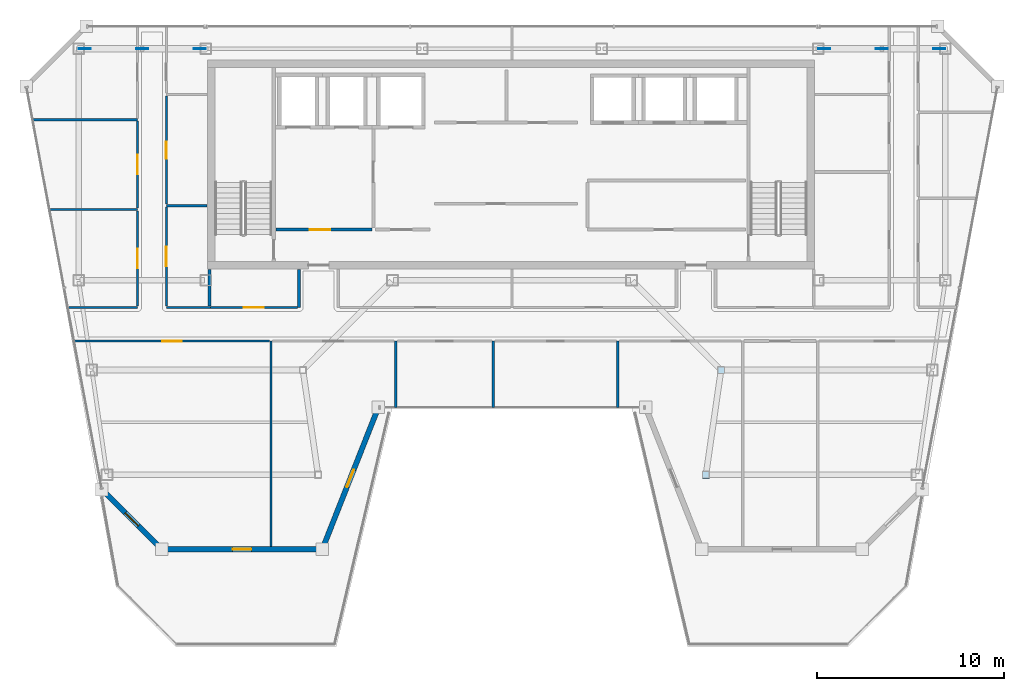
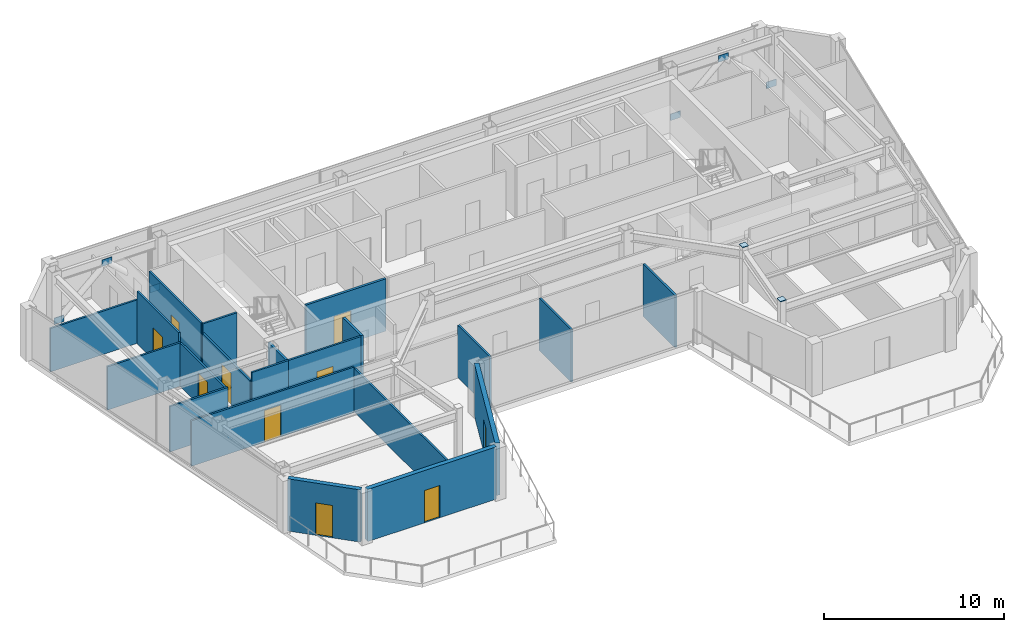
# One storey, part 18 of 25: 21 walls, 10 doors, 8 plates, 10 openings.
"""IFC4 building model written with IfcOpenShell, lengths in metres."""

from ifc_helpers import new_model, si_unit, direction, frame, frame_2d, origin, origin_2d, place, context, subcontext, project, spatial, rectangle, extrude, material, layer, layer_set, type_object, element, fill, save


model = new_model("IFC4")

# Units and contexts
model_context = context("Model", 3, precision=1e-05, world=origin(), true_north=direction((0.0, 1.0)))
body_context = subcontext(model_context, "Body", "Model", "MODEL_VIEW")
ifc_project = project(units=[si_unit("LENGTHUNIT", "METRE"), si_unit("AREAUNIT", "SQUARE_METRE"), si_unit("VOLUMEUNIT", "CUBIC_METRE"), si_unit("PLANEANGLEUNIT", "RADIAN"), si_unit("MASSUNIT", "GRAM", prefix="KILO")], contexts=[model_context])

# Site, building, storey
site_placement = place(None, origin())
site = spatial("IfcSite", under=ifc_project, at=site_placement, CompositionType="ELEMENT")
building_placement = place(site_placement, origin())
building = spatial("IfcBuilding", under=site, at=building_placement, Name="Saevonmaru Cultural Tower", CompositionType="ELEMENT")
storey_placement = place(building_placement, frame((0.0, 0.0, 276.199951171875)))
storey = spatial("IfcBuildingStorey", under=building, at=storey_placement, Name="L65", CompositionType="ELEMENT", Elevation=276.199951171875)

# Plates
ifc_material_1 = material(Name="Steel HSA600 (600 MPa)", Category="steel")
ifc_layer_1 = layer(ifc_material_1, 0.0400390625, Name="Steel HSA600 (600 MPa)")
ifc_layer_set_1 = layer_set([ifc_layer_1], Name="Steel HSA600 (600 MPa)")
plate_type_1 = type_object("IfcPlateType", Name="PL-CAP-350", PredefinedType="USERDEFINED", material=ifc_layer_set_1)
for number, where, z_axis, x_axis, name in (
    (1, (40.383056640625, 32.0, 3.794921875), (0.0, 0.0, 1.0), (1.0, 0.0, 0.0), "Column head cap plate TC-EI-Y320 L65"),
    (2, (41.19189453125, 37.60009765625, 3.794921875), (0.0, 0.0, 1.0), (1.0, 0.0, 0.0), "Column head cap plate TC-EI-Y376 L65"),
):
    element("IfcPlate", number, at=place(storey_placement, frame(where, z_axis=z_axis, x_axis=x_axis)), inside=storey, type_object=plate_type_1, Name=name, ObjectType="CAP_PLATE", PredefinedType="USERDEFINED", context=body_context, shape_type="SweptSolid", body=[
        extrude(rectangle(XDim=0.389892578125, YDim=0.389892578125, at=origin_2d()), origin(), (0.0, 0.0, 1.0), 0.0400390625),
    ])
ifc_layer_2 = layer(ifc_material_1, 0.0400390625, Name="Steel HSA600 (600 MPa)")
ifc_layer_set_2 = layer_set([ifc_layer_2], Name="Steel HSA600 (600 MPa)")
plate_type_2 = type_object("IfcPlateType", Name="PL-GUSSET-EXT", PredefinedType="USERDEFINED", material=ifc_layer_set_2)
for number, where, z_axis, x_axis, name in (
    (3, (10.199951171875, 54.800048828125, 2.900146484375), (0.0, 0.0, 1.0), (1.0, 0.0, 0.0), "L65 Perimeter Tube Gusset Plate"),
    (4, (7.1201171875, 54.800048828125, 0.02001953125), (0.0, 0.0, 1.0), (1.0, 0.0, 0.0), "L65 Perimeter Tube Gusset Plate"),
    (5, (13.280029296875, 54.800048828125, 0.02001953125), (0.0, 0.0, 1.0), (1.0, 0.0, 0.0), "L65 Perimeter Tube Gusset Plate"),
    (6, (49.800048828125, 54.800048828125, 2.900146484375), (0.0, 0.0, 1.0), (1.0, 0.0, 0.0), "L65 Perimeter Tube Gusset Plate"),
    (7, (46.719970703125, 54.800048828125, 0.02001953125), (0.0, 0.0, 1.0), (1.0, 0.0, 0.0), "L65 Perimeter Tube Gusset Plate"),
    (8, (52.8798828125, 54.800048828125, 0.02001953125), (0.0, 0.0, 1.0), (1.0, 0.0, 0.0), "L65 Perimeter Tube Gusset Plate"),
):
    element("IfcPlate", number, at=place(storey_placement, frame(where, z_axis=z_axis, x_axis=x_axis)), inside=storey, type_object=plate_type_2, Name=name, ObjectType="GUSSET_PLATE", PredefinedType="USERDEFINED", context=body_context, shape_type="SweptSolid", body=[
        extrude(rectangle(XDim=0.639892578125, YDim=0.0400390625, at=origin_2d()), origin(), (0.0, 0.0, 1.0), 0.43994140625),
    ])

# Wall, opening, door
ifc_material_2 = material(Name="Gypsum Fireboard Partition", Category="gypsum")
ifc_layer_3 = layer(ifc_material_2, 0.14990234375, Name="Gypsum Fireboard Partition")
ifc_layer_set_3 = layer_set([ifc_layer_3], Name="Gypsum Fireboard Partition")
wall_type_1 = type_object("IfcWallType", Name="WL-CORE-PART-150", PredefinedType="PARTITIONING", material=ifc_layer_set_3)
wall_1_placement = place(storey_placement, frame((17.360107421875, 45.1201171875, 0.0), z_axis=(0.0, 0.0, 1.0), x_axis=(1.0, 0.0, 0.0)))
wall_1 = element("IfcWall", 9, at=wall_1_placement, inside=storey, type_object=wall_type_1, Name="L65 Firefighting Lift Lobby South Wall", PredefinedType="PARTITIONING", context=body_context, shape_type="SweptSolid", body=[
    extrude(rectangle(XDim=5.139892578125, YDim=0.14990234375, at=frame_2d((2.56982421875, 0.0))), origin(), (0.0, 0.0, 1.0), 3.550048828125),
])
opening_1_placement = place(wall_1_placement, frame((1.800048828125, 0.0, 0.0)))
opening_1 = element("IfcOpeningElement", 10, at=opening_1_placement, cuts=wall_1, Name="Opening FD-2", PredefinedType="OPENING", context=body_context, shape_type="SweptSolid", body=[
    extrude(rectangle(XDim=1.10009765625, YDim=2.14990234375, at=frame_2d((0.550048828125, 1.074951171875))), frame((0.0, 0.0849609375, 0.0), z_axis=(0.0, -1.0, 0.0), x_axis=(1.0, 0.0, 0.0)), (0.0, 0.0, 1.0), 0.169921875),
])
ifc_material_3 = material(Name="Satin Bronze Anodised Aluminium", Category="aluminium")
door_type_1 = type_object("IfcDoorType", Name="DR-FD60-1100", OperationType="SINGLE_SWING_LEFT", PredefinedType="DOOR", material=ifc_material_3)
door_1_placement = place(opening_1_placement, origin())
door_1 = element("IfcDoor", 11, at=door_1_placement, inside=storey, type_object=door_type_1, Name="L65 Firefighting Lift Lobby South Door", OperationType="SINGLE_SWING_LEFT", OverallHeight=2.14990234375, OverallWidth=1.10009765625, PredefinedType="DOOR", context=body_context, shape_type="SweptSolid", body=[
    extrude(rectangle(XDim=1.10009765625, YDim=2.14990234375, at=frame_2d((0.550048828125, 1.074951171875))), frame((0.0, 0.02490234375, 0.0), z_axis=(0.0, -1.0, 0.0), x_axis=(1.0, 0.0, 0.0)), (0.0, 0.0, 1.0), 0.050048828125),
])
fill(opening_1, door_1)

ifc_material_4 = material(Name="Granite-Clad Precast Concrete C40/50", Category="masonry")
ifc_layer_4 = layer(ifc_material_4, 0.280029296875, Name="Granite-Clad Precast Concrete C40/50")
ifc_layer_set_4 = layer_set([ifc_layer_4], Name="Granite-Clad Precast Concrete C40/50")
wall_type_2 = type_object("IfcWallType", Name="WL-EXT-SPANDREL-280", PredefinedType="STANDARD", material=ifc_layer_set_4)
wall_2_placement = place(storey_placement, frame((8.157470703125, 31.0869140625, 0.0), z_axis=(0.0, 0.0, 1.0), x_axis=(0.707106781187, -0.707106781187, 0.0)))
wall_2 = element("IfcWall", 12, at=wall_2_placement, inside=storey, type_object=wall_type_2, Name="L65 Setback Terrace Portal Wall E1", PredefinedType="STANDARD", context=body_context, shape_type="SweptSolid", body=[
    extrude(rectangle(XDim=4.205810546875, YDim=0.280029296875, at=frame_2d((2.10302734375, 0.0))), origin(), (0.0, 0.0, 1.0), 3.550048828125),
])
opening_2_placement = place(wall_2_placement, frame((1.60302734375, 0.0, 0.0)))
opening_2 = element("IfcOpeningElement", 13, at=opening_2_placement, cuts=wall_2, Name="Opening TD-2", PredefinedType="OPENING", context=body_context, shape_type="SweptSolid", body=[
    extrude(rectangle(XDim=1.0, YDim=2.199951171875, at=frame_2d((0.5, 1.10009765625))), frame((0.0, 0.14990234375, 0.0), z_axis=(0.0, -1.0, 0.0), x_axis=(1.0, 0.0, 0.0)), (0.0, 0.0, 1.0), 0.300048828125),
])
door_type_2 = type_object("IfcDoorType", Name="DR-TERR-1000", OperationType="SINGLE_SWING_RIGHT", PredefinedType="DOOR", material=ifc_material_3)
door_2_placement = place(opening_2_placement, origin())
door_2 = element("IfcDoor", 14, at=door_2_placement, inside=storey, type_object=door_type_2, Name="L65 Sawtooth Roof Terrace Door E1", OperationType="SINGLE_SWING_RIGHT", OverallHeight=2.199951171875, OverallWidth=1.0, PredefinedType="DOOR", context=body_context, shape_type="SweptSolid", body=[
    extrude(rectangle(XDim=1.0, YDim=2.199951171875, at=frame_2d((0.5, 1.10009765625))), frame((0.0, 0.02490234375, 0.0), z_axis=(0.0, -1.0, 0.0), x_axis=(1.0, 0.0, 0.0)), (0.0, 0.0, 1.0), 0.050048828125),
])
fill(opening_2, door_2)

wall_3_placement = place(storey_placement, frame((11.404296875, 28.0, 0.0), z_axis=(0.0, 0.0, 1.0), x_axis=(1.0, 0.0, 0.0)))
wall_3 = element("IfcWall", 15, at=wall_3_placement, inside=storey, type_object=wall_type_2, Name="L65 Setback Terrace Portal Wall E2", PredefinedType="STANDARD", context=body_context, shape_type="SweptSolid", body=[
    extrude(rectangle(XDim=8.280029296875, YDim=0.280029296875, at=frame_2d((4.14013671875, 0.0))), origin(), (0.0, 0.0, 1.0), 3.550048828125),
])
opening_3_placement = place(wall_3_placement, frame((3.639892578125, 0.0, 0.0)))
opening_3 = element("IfcOpeningElement", 16, at=opening_3_placement, cuts=wall_3, Name="Opening TD-2", PredefinedType="OPENING", context=body_context, shape_type="SweptSolid", body=[
    extrude(rectangle(XDim=1.0, YDim=2.199951171875, at=frame_2d((0.5, 1.10009765625))), frame((0.0, 0.14990234375, 0.0), z_axis=(0.0, -1.0, 0.0), x_axis=(1.0, 0.0, 0.0)), (0.0, 0.0, 1.0), 0.300048828125),
])
door_3_placement = place(opening_3_placement, origin())
door_3 = element("IfcDoor", 17, at=door_3_placement, inside=storey, type_object=door_type_2, Name="L65 Sawtooth Roof Terrace Door E2", OperationType="SINGLE_SWING_LEFT", OverallHeight=2.199951171875, OverallWidth=1.0, PredefinedType="DOOR", context=body_context, shape_type="SweptSolid", body=[
    extrude(rectangle(XDim=1.0, YDim=2.199951171875, at=frame_2d((0.5, 1.10009765625))), frame((0.0, 0.02490234375, 0.0), z_axis=(0.0, -1.0, 0.0), x_axis=(1.0, 0.0, 0.0)), (0.0, 0.0, 1.0), 0.050048828125),
])
fill(opening_3, door_3)

wall_4_placement = place(storey_placement, frame((19.903076171875, 28.148681640625, 0.0), z_axis=(0.0, 0.0, 1.0), x_axis=(0.367167242766, 0.930154941846, 0.0)))
wall_4 = element("IfcWall", 18, at=wall_4_placement, inside=storey, type_object=wall_type_2, Name="L65 Setback Terrace Portal Wall E3", PredefinedType="STANDARD", context=body_context, shape_type="SweptSolid", body=[
    extrude(rectangle(XDim=7.850830078125, YDim=0.280029296875, at=frame_2d((3.92529296875, 0.0))), origin(), (0.0, 0.0, 1.0), 3.550048828125),
])
opening_4_placement = place(wall_4_placement, frame((3.425048828125, 0.0, 0.0)))
opening_4 = element("IfcOpeningElement", 19, at=opening_4_placement, cuts=wall_4, Name="Opening TD-2", PredefinedType="OPENING", context=body_context, shape_type="SweptSolid", body=[
    extrude(rectangle(XDim=1.0, YDim=2.199951171875, at=frame_2d((0.5, 1.10009765625))), frame((0.0, 0.14990234375, 0.0), z_axis=(0.0, -1.0, 0.0), x_axis=(1.0, 0.0, 0.0)), (0.0, 0.0, 1.0), 0.300048828125),
])
door_4_placement = place(opening_4_placement, origin())
door_4 = element("IfcDoor", 20, at=door_4_placement, inside=storey, type_object=door_type_2, Name="L65 Sawtooth Roof Terrace Door E3", OperationType="SINGLE_SWING_RIGHT", OverallHeight=2.199951171875, OverallWidth=1.0, PredefinedType="DOOR", context=body_context, shape_type="SweptSolid", body=[
    extrude(rectangle(XDim=1.0, YDim=2.199951171875, at=frame_2d((0.5, 1.10009765625))), frame((0.0, 0.02490234375, 0.0), z_axis=(0.0, -1.0, 0.0), x_axis=(1.0, 0.0, 0.0)), (0.0, 0.0, 1.0), 0.050048828125),
])
fill(opening_4, door_4)

# Walls
ifc_layer_5 = layer(ifc_material_2, 0.14990234375, Name="Gypsum Fireboard Partition")
ifc_layer_set_5 = layer_set([ifc_layer_5], Name="Gypsum Fireboard Partition")
wall_type_3 = type_object("IfcWallType", Name="WL-PART-FIRE-150", PredefinedType="PARTITIONING", material=ifc_layer_set_5)
wall_5_placement = place(storey_placement, frame((13.800048828125, 41.030029296875, 0.0), z_axis=(0.0, 0.0, 1.0), x_axis=(0.0, 1.0, 0.0)))
element("IfcWall", 21, at=wall_5_placement, inside=storey, type_object=wall_type_3, Name="L65 Core Portal Side Wall W0", PredefinedType="PARTITIONING", context=body_context, shape_type="SweptSolid", body=[
    extrude(rectangle(XDim=1.949951171875, YDim=0.14990234375, at=frame_2d((0.97509765625, 0.0))), origin(), (0.0, 0.0, 1.0), 3.550048828125),
])
wall_6_placement = place(storey_placement, frame((18.60009765625, 40.949951171875, 0.0), z_axis=(0.0, 0.0, 1.0), x_axis=(0.0, 1.0, 0.0)))
element("IfcWall", 22, at=wall_6_placement, inside=storey, type_object=wall_type_3, Name="L65 Core Portal Side Wall W1", PredefinedType="PARTITIONING", context=body_context, shape_type="SweptSolid", body=[
    extrude(rectangle(XDim=2.030029296875, YDim=0.14990234375, at=frame_2d((1.01513671875, 0.0))), origin(), (0.0, 0.0, 1.0), 3.550048828125),
])
ifc_layer_6 = layer(ifc_material_2, 0.1201171875, Name="Gypsum Fireboard Partition")
ifc_layer_set_6 = layer_set([ifc_layer_6], Name="Gypsum Fireboard Partition")
wall_type_4 = type_object("IfcWallType", Name="WL-PART-GYP-120", PredefinedType="PARTITIONING", material=ifc_layer_set_6)
wall_7_placement = place(storey_placement, frame((6.223876953125, 40.949951171875, 0.0), z_axis=(0.0, 0.0, 1.0), x_axis=(1.0, 0.0, 0.0)))
element("IfcWall", 23, at=wall_7_placement, inside=storey, type_object=wall_type_4, Name="L65 NW Wing South Wall", PredefinedType="PARTITIONING", context=body_context, shape_type="SweptSolid", body=[
    extrude(rectangle(XDim=3.72607421875, YDim=0.1201171875, at=frame_2d((1.863037109375, 0.0))), origin(), (0.0, 0.0, 1.0), 3.0849609375),
])
wall_8_placement = place(storey_placement, frame((11.5, 40.949951171875, 0.0), z_axis=(0.0, 0.0, 1.0), x_axis=(1.0, 0.0, 0.0)))
element("IfcWall", 24, at=wall_8_placement, inside=storey, type_object=wall_type_4, Name="L65 NW Inner South Wall", PredefinedType="PARTITIONING", context=body_context, shape_type="SweptSolid", body=[
    extrude(rectangle(XDim=2.35009765625, YDim=0.1201171875, at=frame_2d((1.175048828125, 0.0))), origin(), (0.0, 0.0, 1.0), 3.550048828125),
])
wall_9_placement = place(storey_placement, frame((5.240966796875, 46.199951171875, 0.0), z_axis=(0.0, 0.0, 1.0), x_axis=(1.0, 0.0, 0.0)))
element("IfcWall", 25, at=wall_9_placement, inside=storey, type_object=wall_type_4, Name="L65 NW Studio Divider 1", PredefinedType="PARTITIONING", context=body_context, shape_type="SweptSolid", body=[
    extrude(rectangle(XDim=4.708984375, YDim=0.1201171875, at=frame_2d((2.3544921875, 0.0))), origin(), (0.0, 0.0, 1.0), 2.947021484375),
])
wall_10_placement = place(storey_placement, frame((4.342041015625, 51.0, 0.0), z_axis=(0.0, 0.0, 1.0), x_axis=(1.0, 0.0, 0.0)))
element("IfcWall", 26, at=wall_10_placement, inside=storey, type_object=wall_type_4, Name="L65 NW Studio Divider 2", PredefinedType="PARTITIONING", context=body_context, shape_type="SweptSolid", body=[
    extrude(rectangle(XDim=5.60791015625, YDim=0.1201171875, at=frame_2d((2.803955078125, 0.0))), origin(), (0.0, 0.0, 1.0), 2.947021484375),
])

# Wall, opening, door
wall_11_placement = place(storey_placement, frame((9.949951171875, 41.030029296875, 0.0), z_axis=(0.0, 0.0, 1.0), x_axis=(0.0, 1.0, 0.0)))
wall_11 = element("IfcWall", 27, at=wall_11_placement, inside=storey, type_object=wall_type_4, Name="L65 Rare Folio Reading Room Corridor Wall", PredefinedType="PARTITIONING", context=body_context, shape_type="SweptSolid", body=[
    extrude(rectangle(XDim=5.090087890625, YDim=0.1201171875, at=frame_2d((2.544921875, 0.0))), origin(), (0.0, 0.0, 1.0), 2.947021484375),
])
opening_5_placement = place(wall_11_placement, frame((2.02001953125, 0.0, 0.0)))
opening_5 = element("IfcOpeningElement", 28, at=opening_5_placement, cuts=wall_11, Name="Opening ID-1", PredefinedType="OPENING", context=body_context, shape_type="SweptSolid", body=[
    extrude(rectangle(XDim=1.050048828125, YDim=2.14990234375, at=frame_2d((0.52490234375, 1.074951171875))), frame((0.0, 0.070068359375, 0.0), z_axis=(0.0, -1.0, 0.0), x_axis=(1.0, 0.0, 0.0)), (0.0, 0.0, 1.0), 0.14013671875),
])
door_type_3 = type_object("IfcDoorType", Name="DR-INT-1050", OperationType="SINGLE_SWING_LEFT", PredefinedType="DOOR", material=ifc_material_3)
door_5_placement = place(opening_5_placement, origin())
door_5 = element("IfcDoor", 29, at=door_5_placement, inside=storey, type_object=door_type_3, Name="L65 Rare Folio Reading Room Door", OperationType="SINGLE_SWING_RIGHT", OverallHeight=2.14990234375, OverallWidth=1.050048828125, PredefinedType="DOOR", context=body_context, shape_type="SweptSolid", body=[
    extrude(rectangle(XDim=1.050048828125, YDim=2.14990234375, at=frame_2d((0.52490234375, 1.074951171875))), frame((0.0, 0.02490234375, 0.0), z_axis=(0.0, -1.0, 0.0), x_axis=(1.0, 0.0, 0.0)), (0.0, 0.0, 1.0), 0.050048828125),
])
fill(opening_5, door_5)

wall_12_placement = place(storey_placement, frame((9.949951171875, 46.280029296875, 0.0), z_axis=(0.0, 0.0, 1.0), x_axis=(0.0, 1.0, 0.0)))
wall_12 = element("IfcWall", 30, at=wall_12_placement, inside=storey, type_object=wall_type_4, Name="L65 Art History Reading Room Corridor Wall", PredefinedType="PARTITIONING", context=body_context, shape_type="SweptSolid", body=[
    extrude(rectangle(XDim=4.639892578125, YDim=0.1201171875, at=frame_2d((2.31982421875, 0.0))), origin(), (0.0, 0.0, 1.0), 3.550048828125),
])
opening_6_placement = place(wall_12_placement, frame((1.794921875, 0.0, 0.0)))
opening_6 = element("IfcOpeningElement", 31, at=opening_6_placement, cuts=wall_12, Name="Opening ID-1", PredefinedType="OPENING", context=body_context, shape_type="SweptSolid", body=[
    extrude(rectangle(XDim=1.050048828125, YDim=2.14990234375, at=frame_2d((0.52490234375, 1.074951171875))), frame((0.0, 0.070068359375, 0.0), z_axis=(0.0, -1.0, 0.0), x_axis=(1.0, 0.0, 0.0)), (0.0, 0.0, 1.0), 0.14013671875),
])
door_6_placement = place(opening_6_placement, origin())
door_6 = element("IfcDoor", 32, at=door_6_placement, inside=storey, type_object=door_type_3, Name="L65 Art History Reading Room Door", OperationType="SINGLE_SWING_LEFT", OverallHeight=2.14990234375, OverallWidth=1.050048828125, PredefinedType="DOOR", context=body_context, shape_type="SweptSolid", body=[
    extrude(rectangle(XDim=1.050048828125, YDim=2.14990234375, at=frame_2d((0.52490234375, 1.074951171875))), frame((0.0, 0.02490234375, 0.0), z_axis=(0.0, -1.0, 0.0), x_axis=(1.0, 0.0, 0.0)), (0.0, 0.0, 1.0), 0.050048828125),
])
fill(opening_6, door_6)

# Wall
wall_13_placement = place(storey_placement, frame((11.5, 46.39990234375, 0.0), z_axis=(0.0, 0.0, 1.0), x_axis=(1.0, 0.0, 0.0)))
element("IfcWall", 33, at=wall_13_placement, inside=storey, type_object=wall_type_4, Name="L65 NW Inner Divider", PredefinedType="PARTITIONING", context=body_context, shape_type="SweptSolid", body=[
    extrude(rectangle(XDim=2.179931640625, YDim=0.1201171875, at=frame_2d((1.08984375, 0.0))), origin(), (0.0, 0.0, 1.0), 3.550048828125),
])

# Wall, opening, door
wall_14_placement = place(storey_placement, frame((11.5, 41.030029296875, 0.0), z_axis=(0.0, 0.0, 1.0), x_axis=(0.0, 1.0, 0.0)))
wall_14 = element("IfcWall", 34, at=wall_14_placement, inside=storey, type_object=wall_type_4, Name="L65 Art History Reading Room Corridor Wall", PredefinedType="PARTITIONING", context=body_context, shape_type="SweptSolid", body=[
    extrude(rectangle(XDim=5.2900390625, YDim=0.1201171875, at=frame_2d((2.64501953125, 0.0))), origin(), (0.0, 0.0, 1.0), 2.947021484375),
])
opening_7_placement = place(wall_14_placement, frame((2.1201171875, 0.0, 0.0)))
opening_7 = element("IfcOpeningElement", 35, at=opening_7_placement, cuts=wall_14, Name="Opening ID-1", PredefinedType="OPENING", context=body_context, shape_type="SweptSolid", body=[
    extrude(rectangle(XDim=1.050048828125, YDim=2.14990234375, at=frame_2d((0.52490234375, 1.074951171875))), frame((0.0, 0.070068359375, 0.0), z_axis=(0.0, -1.0, 0.0), x_axis=(1.0, 0.0, 0.0)), (0.0, 0.0, 1.0), 0.14013671875),
])
door_7_placement = place(opening_7_placement, origin())
door_7 = element("IfcDoor", 36, at=door_7_placement, inside=storey, type_object=door_type_3, Name="L65 Art History Reading Room Door", OperationType="SINGLE_SWING_LEFT", OverallHeight=2.14990234375, OverallWidth=1.050048828125, PredefinedType="DOOR", context=body_context, shape_type="SweptSolid", body=[
    extrude(rectangle(XDim=1.050048828125, YDim=2.14990234375, at=frame_2d((0.52490234375, 1.074951171875))), frame((0.0, 0.02490234375, 0.0), z_axis=(0.0, -1.0, 0.0), x_axis=(1.0, 0.0, 0.0)), (0.0, 0.0, 1.0), 0.050048828125),
])
fill(opening_7, door_7)

wall_15_placement = place(storey_placement, frame((11.5, 46.47998046875, 0.0), z_axis=(0.0, 0.0, 1.0), x_axis=(0.0, 1.0, 0.0)))
wall_15 = element("IfcWall", 37, at=wall_15_placement, inside=storey, type_object=wall_type_4, Name="L65 Typography Design Classroom Corridor Wall", PredefinedType="PARTITIONING", context=body_context, shape_type="SweptSolid", body=[
    extrude(rectangle(XDim=5.7900390625, YDim=0.1201171875, at=frame_2d((2.89501953125, 0.0))), origin(), (0.0, 0.0, 1.0), 3.550048828125),
])
opening_8_placement = place(wall_15_placement, frame((2.445068359375, 0.0, 0.0)))
opening_8 = element("IfcOpeningElement", 38, at=opening_8_placement, cuts=wall_15, Name="Opening ID-2", PredefinedType="OPENING", context=body_context, shape_type="SweptSolid", body=[
    extrude(rectangle(XDim=0.89990234375, YDim=2.10009765625, at=frame_2d((0.449951171875, 1.050048828125))), frame((0.0, 0.070068359375, 0.0), z_axis=(0.0, -1.0, 0.0), x_axis=(1.0, 0.0, 0.0)), (0.0, 0.0, 1.0), 0.14013671875),
])
ifc_material_5 = material(Name="Acoustic Stained Oak Timber", Category="wood")
door_type_4 = type_object("IfcDoorType", Name="DR-INT-900", OperationType="SINGLE_SWING_RIGHT", PredefinedType="DOOR", material=ifc_material_5)
door_8_placement = place(opening_8_placement, origin())
door_8 = element("IfcDoor", 39, at=door_8_placement, inside=storey, type_object=door_type_4, Name="L65 Typography Design Classroom Door", OperationType="SINGLE_SWING_RIGHT", OverallHeight=2.10009765625, OverallWidth=0.89990234375, PredefinedType="DOOR", context=body_context, shape_type="SweptSolid", body=[
    extrude(rectangle(XDim=0.89990234375, YDim=2.10009765625, at=frame_2d((0.449951171875, 1.050048828125))), frame((0.0, 0.02490234375, 0.0), z_axis=(0.0, -1.0, 0.0), x_axis=(1.0, 0.0, 0.0)), (0.0, 0.0, 1.0), 0.050048828125),
])
fill(opening_8, door_8)

wall_16_placement = place(storey_placement, frame((13.85009765625, 40.949951171875, 0.0), z_axis=(0.0, 0.0, 1.0), x_axis=(1.0, 0.0, 0.0)))
wall_16 = element("IfcWall", 40, at=wall_16_placement, inside=storey, type_object=wall_type_4, Name="L65 Rare Folio Reading Room Corridor Wall", PredefinedType="PARTITIONING", context=body_context, shape_type="SweptSolid", body=[
    extrude(rectangle(XDim=4.65478515625, YDim=0.1201171875, at=frame_2d((2.327392578125, 0.0))), origin(), (0.0, 0.0, 1.0), 3.550048828125),
])
opening_9_placement = place(wall_16_placement, frame((1.802001953125, 0.0, 0.0)))
opening_9 = element("IfcOpeningElement", 41, at=opening_9_placement, cuts=wall_16, Name="Opening ID-1", PredefinedType="OPENING", context=body_context, shape_type="SweptSolid", body=[
    extrude(rectangle(XDim=1.050048828125, YDim=2.14990234375, at=frame_2d((0.52490234375, 1.074951171875))), frame((0.0, 0.070068359375, 0.0), z_axis=(0.0, -1.0, 0.0), x_axis=(1.0, 0.0, 0.0)), (0.0, 0.0, 1.0), 0.14013671875),
])
door_9_placement = place(opening_9_placement, origin())
door_9 = element("IfcDoor", 42, at=door_9_placement, inside=storey, type_object=door_type_3, Name="L65 Rare Folio Reading Room Door", OperationType="SINGLE_SWING_RIGHT", OverallHeight=2.14990234375, OverallWidth=1.050048828125, PredefinedType="DOOR", context=body_context, shape_type="SweptSolid", body=[
    extrude(rectangle(XDim=1.050048828125, YDim=2.14990234375, at=frame_2d((0.52490234375, 1.074951171875))), frame((0.0, 0.02490234375, 0.0), z_axis=(0.0, -1.0, 0.0), x_axis=(1.0, 0.0, 0.0)), (0.0, 0.0, 1.0), 0.050048828125),
])
fill(opening_9, door_9)

# Walls
wall_17_placement = place(storey_placement, frame((17.10009765625, 28.159912109375, 0.0), z_axis=(0.0, 0.0, 1.0), x_axis=(0.0, 1.0, 0.0)))
element("IfcWall", 43, at=wall_17_placement, inside=storey, type_object=wall_type_4, Name="L65 Observatory Bay Divider 1", PredefinedType="PARTITIONING", context=body_context, shape_type="SweptSolid", body=[
    extrude(rectangle(XDim=10.989990234375, YDim=0.1201171875, at=frame_2d((5.4951171875, 0.0))), origin(), (0.0, 0.0, 1.0), 2.947021484375),
])
wall_18_placement = place(storey_placement, frame((29.0, 35.60498046875, 0.0), z_axis=(0.0, 0.0, 1.0), x_axis=(0.0, 1.0, 0.0)))
element("IfcWall", 44, at=wall_18_placement, inside=storey, type_object=wall_type_4, Name="L65 Observatory Bay Divider 3", PredefinedType="PARTITIONING", context=body_context, shape_type="SweptSolid", body=[
    extrude(rectangle(XDim=3.544921875, YDim=0.1201171875, at=frame_2d((1.7724609375, 0.0))), origin(), (0.0, 0.0, 1.0), 3.550048828125),
])

# Wall, opening, door
wall_19_placement = place(storey_placement, frame((6.560791015625, 39.14990234375, 0.0), z_axis=(0.0, 0.0, 1.0), x_axis=(1.0, 0.0, 0.0)))
wall_19 = element("IfcWall", 45, at=wall_19_placement, inside=storey, type_object=wall_type_4, Name="L65 Rare Folio Reading Room Corridor Wall", PredefinedType="PARTITIONING", context=body_context, shape_type="SweptSolid", body=[
    extrude(rectangle(XDim=10.459228515625, YDim=0.1201171875, at=frame_2d((5.2294921875, 0.0))), origin(), (0.0, 0.0, 1.0), 3.0849609375),
])
opening_10_placement = place(wall_19_placement, frame((4.705078125, 0.0, 0.0)))
opening_10 = element("IfcOpeningElement", 46, at=opening_10_placement, cuts=wall_19, Name="Opening ID-1", PredefinedType="OPENING", context=body_context, shape_type="SweptSolid", body=[
    extrude(rectangle(XDim=1.050048828125, YDim=2.14990234375, at=frame_2d((0.52490234375, 1.074951171875))), frame((0.0, 0.070068359375, 0.0), z_axis=(0.0, -1.0, 0.0), x_axis=(1.0, 0.0, 0.0)), (0.0, 0.0, 1.0), 0.14013671875),
])
door_10_placement = place(opening_10_placement, origin())
door_10 = element("IfcDoor", 47, at=door_10_placement, inside=storey, type_object=door_type_3, Name="L65 Rare Folio Reading Room Door", OperationType="SINGLE_SWING_RIGHT", OverallHeight=2.14990234375, OverallWidth=1.050048828125, PredefinedType="DOOR", context=body_context, shape_type="SweptSolid", body=[
    extrude(rectangle(XDim=1.050048828125, YDim=2.14990234375, at=frame_2d((0.52490234375, 1.074951171875))), frame((0.0, 0.02490234375, 0.0), z_axis=(0.0, -1.0, 0.0), x_axis=(1.0, 0.0, 0.0)), (0.0, 0.0, 1.0), 0.050048828125),
])
fill(opening_10, door_10)

# Walls
ifc_layer_7 = layer(ifc_material_2, 0.135009765625, Name="Gypsum Fireboard Partition")
ifc_layer_set_7 = layer_set([ifc_layer_7], Name="Gypsum Fireboard Partition")
wall_type_5 = type_object("IfcWallType", Name="WL-PART-GYP-135", PredefinedType="PARTITIONING", material=ifc_layer_set_7)
for number, where, z_axis, x_axis, name in (
    (48, (23.77001953125, 35.60498046875, 0.0), (0.0, 0.0, 1.0), (0.0, 1.0, 0.0), "L65 Observatory Bay Divider 2"),
    (49, (35.669921875, 35.60498046875, 0.0), (0.0, 0.0, 1.0), (0.0, 1.0, 0.0), "L65 Observatory Bay Divider 4"),
):
    element("IfcWall", number, at=place(storey_placement, frame(where, z_axis=z_axis, x_axis=x_axis)), inside=storey, type_object=wall_type_5, Name=name, PredefinedType="PARTITIONING", context=body_context, shape_type="SweptSolid", body=[
        extrude(rectangle(XDim=3.544921875, YDim=0.135009765625, at=frame_2d((1.7724609375, 0.0))), origin(), (0.0, 0.0, 1.0), 3.550048828125),
    ])

save(model, "model.ifc")
